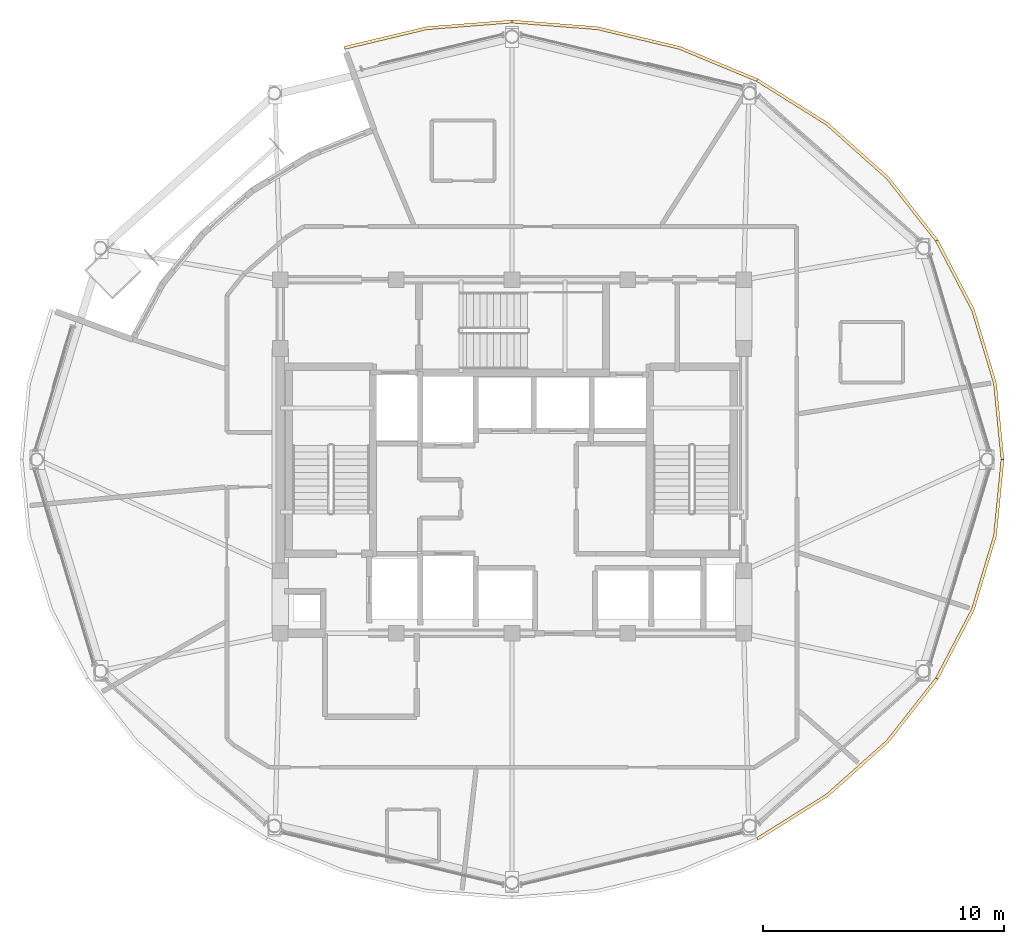
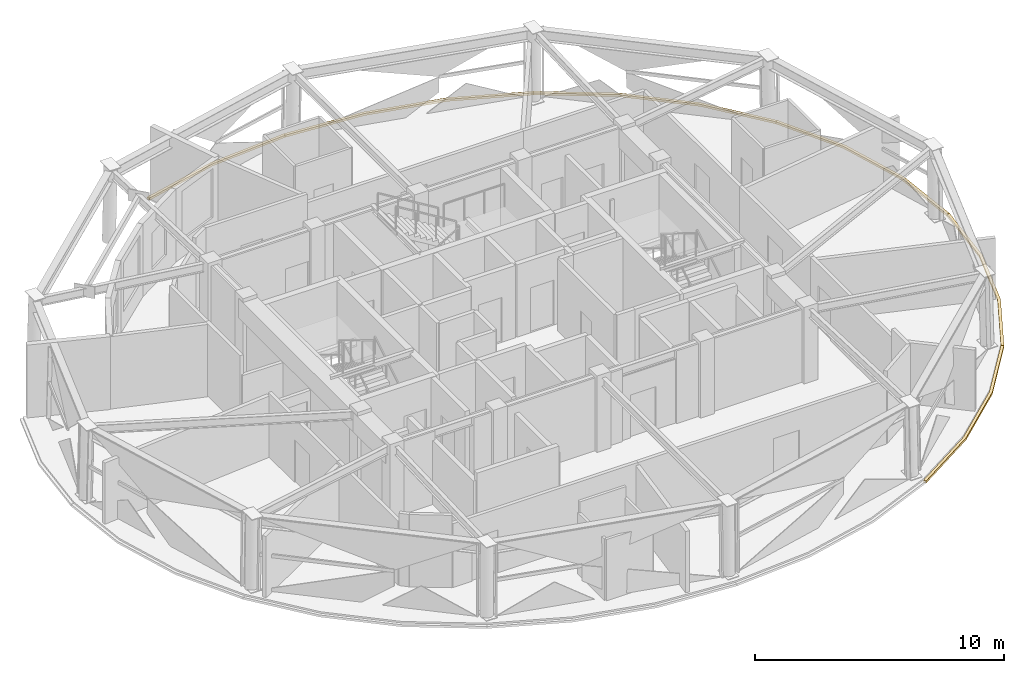
# One storey, part 14 of 14: 6 coverings.
"""IFC4 building model written with IfcOpenShell, lengths in metres."""

from ifc_helpers import new_model, si_unit, direction, frame, origin, place, context, subcontext, project, spatial, polyline, outline, extrude, material, layer, layer_set, type_object, element, save


model = new_model("IFC4")

# Units and contexts
model_context = context("Model", 3, precision=1e-05, world=origin(), true_north=direction((0.0, 1.0)))
body_context = subcontext(model_context, "Body", "Model", "MODEL_VIEW")
ifc_project = project(units=[si_unit("LENGTHUNIT", "METRE"), si_unit("AREAUNIT", "SQUARE_METRE"), si_unit("VOLUMEUNIT", "CUBIC_METRE"), si_unit("PLANEANGLEUNIT", "RADIAN"), si_unit("MASSUNIT", "GRAM", prefix="KILO")], contexts=[model_context])

# Site, building, storey
site_placement = place(None, origin())
site = spatial("IfcSite", under=ifc_project, at=site_placement, CompositionType="ELEMENT")
building_placement = place(site_placement, origin())
building = spatial("IfcBuilding", under=site, at=building_placement, Name="Vantalir Tower", CompositionType="ELEMENT")
storey_placement = place(building_placement, frame((0.0, 0.0, 271.35009765625)))
storey = spatial("IfcBuildingStorey", under=building, at=storey_placement, Name="L68", CompositionType="ELEMENT", Elevation=271.35009765625)

# Coverings
ifc_material = material(Name="Anodised champagne aluminium sill fascia", Category="aluminium")
ifc_layer = layer(ifc_material, 0.125)
ifc_layer_set = layer_set([ifc_layer], Name="Anodised champagne aluminium sill fascia")
covering_type = type_object("IfcCoveringType", Name="COV-SLAB-FASCIA-125", PredefinedType="CLADDING", material=ifc_layer_set)
covering_1_placement = place(storey_placement, frame((0.0, 0.0, -0.18017578125)))
element("IfcCovering", 1, at=covering_1_placement, inside=storey, type_object=covering_type, Name="L68 Perimeter Slab-Edge Sill Fascia 01", PredefinedType="CLADDING", context=body_context, shape_type="SweptSolid", body=[
    extrude(outline(polyline([(51.885009765625, 25.0), (51.574951171875, 28.1630859375), (50.656005859375, 31.22998046875), (49.154052734375, 34.10693359375), (49.0458984375, 34.0439453125), (50.5380859375, 31.18701171875), (51.451904296875, 28.14111328125), (51.760009765625, 25.0), (51.885009765625, 25.0)])), origin(), (0.0, 0.0, 1.0), 0.10498046875),
])
covering_2_placement = place(storey_placement, frame((0.0, 0.0, -0.18017578125)))
element("IfcCovering", 2, at=covering_2_placement, inside=storey, type_object=covering_type, Name="L68 Perimeter Slab-Edge Sill Fascia 02", PredefinedType="CLADDING", context=body_context, shape_type="SweptSolid", body=[
    extrude(outline(polyline([(49.154052734375, 34.10693359375), (47.115966796875, 36.7080078125), (44.60302734375, 38.952880859375), (41.693115234375, 40.77392578125), (41.6298828125, 40.666015625), (44.52294921875, 38.85693359375), (47.02001953125, 36.626953125), (49.0458984375, 34.0439453125), (49.154052734375, 34.10693359375)])), origin(), (0.0, 0.0, 1.0), 0.10498046875),
])
covering_3_placement = place(storey_placement, frame((0.0, 0.0, -0.18017578125)))
element("IfcCovering", 3, at=covering_3_placement, inside=storey, type_object=covering_type, Name="L68 Perimeter Slab-Edge Sill Fascia 03", PredefinedType="CLADDING", context=body_context, shape_type="SweptSolid", body=[
    extrude(outline(polyline([(41.693115234375, 40.77392578125), (38.471923828125, 42.115966796875), (35.0400390625, 42.93701171875), (31.5, 43.214111328125), (31.5, 43.089111328125), (35.01806640625, 42.81396484375), (38.428955078125, 41.998046875), (41.6298828125, 40.666015625), (41.693115234375, 40.77392578125)])), origin(), (0.0, 0.0, 1.0), 0.10498046875),
])
covering_4_placement = place(storey_placement, frame((0.0, 0.0, -0.18017578125)))
element("IfcCovering", 4, at=covering_4_placement, inside=storey, type_object=covering_type, Name="L68 Perimeter Slab-Edge Sill Fascia 04", PredefinedType="CLADDING", context=body_context, shape_type="SweptSolid", body=[
    extrude(outline(polyline([(31.5, 43.214111328125), (27.9599609375, 42.93701171875), (24.528076171875, 42.115966796875), (24.571044921875, 41.998046875), (27.98193359375, 42.81396484375), (31.5, 43.089111328125), (31.5, 43.214111328125)])), origin(), (0.0, 0.0, 1.0), 0.10498046875),
])
covering_5_placement = place(storey_placement, frame((0.0, 0.0, -0.18017578125)))
element("IfcCovering", 5, at=covering_5_placement, inside=storey, type_object=covering_type, Name="L68 Perimeter Slab-Edge Sill Fascia 11", PredefinedType="CLADDING", context=body_context, shape_type="SweptSolid", body=[
    extrude(outline(polyline([(41.693115234375, 9.22607421875), (44.60302734375, 11.047119140625), (47.115966796875, 13.2919921875), (49.154052734375, 15.89306640625), (49.0458984375, 15.955078125), (47.02001953125, 13.373046875), (44.52294921875, 11.14306640625), (41.6298828125, 9.333984375), (41.693115234375, 9.22607421875)])), origin(), (0.0, 0.0, 1.0), 0.10498046875),
])
covering_6_placement = place(storey_placement, frame((0.0, 0.0, -0.18017578125)))
element("IfcCovering", 6, at=covering_6_placement, inside=storey, type_object=covering_type, Name="L68 Perimeter Slab-Edge Sill Fascia 12", PredefinedType="CLADDING", context=body_context, shape_type="SweptSolid", body=[
    extrude(outline(polyline([(49.154052734375, 15.89306640625), (50.656005859375, 18.77001953125), (51.574951171875, 21.8369140625), (51.885009765625, 25.0), (51.760009765625, 25.0), (51.451904296875, 21.85888671875), (50.5380859375, 18.81298828125), (49.0458984375, 15.955078125), (49.154052734375, 15.89306640625)])), origin(), (0.0, 0.0, 1.0), 0.10498046875),
])

save(model, "model.ifc")
